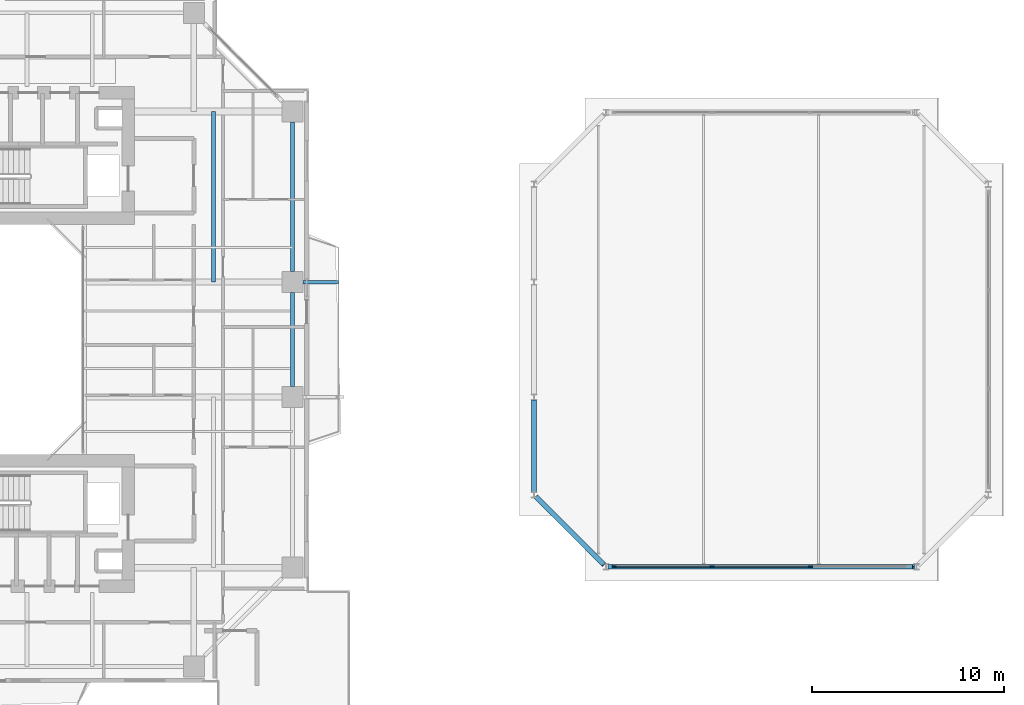
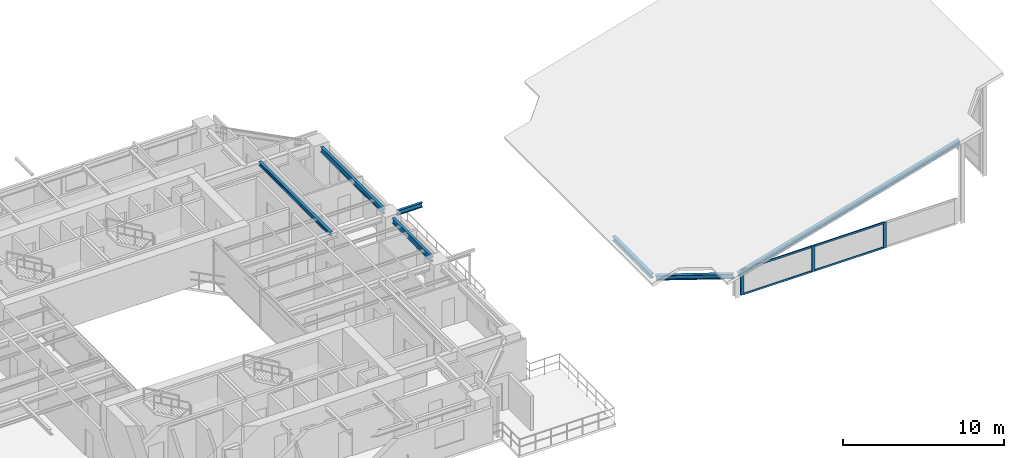
# One storey, part 11 of 28: 7 beams, 7 members, 1 element without a shape of its own.
"""IFC4 building model written with IfcOpenShell, lengths in metres."""

import ifcopenshell
import ifcopenshell.guid

model = None  # the IFC model being written
_history = None  # IfcOwnerHistory: only IFC2X3 demands one
_inside = {}  # id of a spatial element -> (the spatial element, [elements in it])
_under = {}  # id of a project, library or spatial element -> (it, [spatial elements below it])
_declared = {}  # id of a project -> (the project, [libraries it declares])
_typed = {}  # id of a type object -> (the type object, [elements of that type])
_made_of = {}  # id of a material, layer set ... -> (it, [elements and type objects made of it])


def new_model(schema):
    """Start an empty IFC model of exactly this schema.

    Asked for "IFC4X3", IfcOpenShell would pick the latest addendum, in which some entities
    have other attributes; the version numbers below select the first issue.
    IFC2X3 requires an IfcOwnerHistory on every rooted entity: one is made here for all.
    """
    global model, _history
    if schema == "IFC4X3":
        model = ifcopenshell.file(schema_version=(4, 3, 0, 0))
    else:
        model = ifcopenshell.file(schema=schema)
    _inside.clear()
    _under.clear()
    _declared.clear()
    _typed.clear()
    _made_of.clear()
    _history = None
    if model.schema == "IFC2X3":
        org = make("IfcOrganization", Name="unknown")
        user = make(
            "IfcPersonAndOrganization",
            ThePerson=make("IfcPerson", FamilyName="unknown"),
            TheOrganization=org,
        )
        app = make(
            "IfcApplication",
            ApplicationDeveloper=org,
            Version="unknown",
            ApplicationFullName="unknown",
            ApplicationIdentifier="unknown",
        )
        _history = make(
            "IfcOwnerHistory",
            OwningUser=user,
            OwningApplication=app,
            ChangeAction="ADDED",
            CreationDate=0,
        )
    return model


def make(cls, **values):
    """One entity of the class cls with the attributes given. An attribute that is None is left unset."""
    return model.create_entity(
        cls, **{name: value for name, value in values.items() if value is not None}
    )


def rooted(cls, **values):
    """An entity with a GlobalId (a new one), such as an element, a storey or a relation."""
    return make(cls, GlobalId=ifcopenshell.guid.new(), OwnerHistory=_history, **values)


def si_unit(unit_type, name, prefix=None):
    """IfcSIUnit, for example si_unit("LENGTHUNIT", "METRE", prefix="MILLI")."""
    return make("IfcSIUnit", UnitType=unit_type, Prefix=prefix, Name=name)


def assignment(units):
    """IfcUnitAssignment: the units of a project."""
    return None if units is None else make("IfcUnitAssignment", Units=units)


def point(xyz):
    """IfcCartesianPoint."""
    return None if xyz is None else make("IfcCartesianPoint", Coordinates=xyz)


def direction(xyz):
    """IfcDirection."""
    return None if xyz is None else make("IfcDirection", DirectionRatios=xyz)


def frame(location, z_axis=None, x_axis=None):
    """IfcAxis2Placement3D, a coordinate frame: its origin and axes. An axis left out is left unset."""
    return make(
        "IfcAxis2Placement3D",
        Location=point(location),
        Axis=direction(z_axis),
        RefDirection=direction(x_axis),
    )


def frame_2d(location, x_axis=None):
    """IfcAxis2Placement2D, a coordinate frame in the plane: its origin and x axis."""
    return make(
        "IfcAxis2Placement2D", Location=point(location), RefDirection=direction(x_axis)
    )


def origin():
    """The frame at (0, 0, 0) with its axes left unset."""
    return frame((0.0, 0.0, 0.0))


def origin_2d():
    """The frame at (0, 0) in the plane with its x axis left unset."""
    return frame_2d((0.0, 0.0))


def place(relative_to, where):
    """IfcLocalPlacement: puts the frame where relative to a parent placement (None: the world)."""
    return make(
        "IfcLocalPlacement", PlacementRelTo=relative_to, RelativePlacement=where
    )


def context(
    kind, dimensions, precision=None, world=None, true_north=None, identifier=None
):
    """IfcGeometricRepresentationContext, for example the 3D "Model" context."""
    return make(
        "IfcGeometricRepresentationContext",
        ContextIdentifier=identifier,
        ContextType=kind,
        CoordinateSpaceDimension=dimensions,
        Precision=precision,
        WorldCoordinateSystem=world,
        TrueNorth=true_north,
    )


def subcontext(parent, identifier, kind, view, scale=None):
    """IfcGeometricRepresentationSubContext, for example "Body" below "Model"."""
    return make(
        "IfcGeometricRepresentationSubContext",
        ContextIdentifier=identifier,
        ContextType=kind,
        ParentContext=parent,
        TargetScale=scale,
        TargetView=view,
    )


def project(units=None, contexts=None):
    """IfcProject with its units and contexts."""
    return rooted(
        "IfcProject",
        Name="project",
        RepresentationContexts=contexts,
        UnitsInContext=assignment(units),
    )


def spatial(cls, under=None, at=None, **own):
    """A site, building, storey or space (cls), placed at a placement, below another one or the project."""
    s = rooted(cls, ObjectPlacement=at, **own)
    if under is not None:
        _under.setdefault(under.id(), (under, []))[1].append(s)
    return s


def profile(cls, at=None, kind="AREA", **sizes):
    """A parametric profile (cls). Its sizes go by their IFC names, for example OverallWidth=200.0."""
    return make(cls, ProfileType=kind, Position=at, **sizes)


def rectangle(**sizes):
    """IfcRectangleProfileDef."""
    return profile("IfcRectangleProfileDef", **sizes)


def i_section(**sizes):
    """IfcIShapeProfileDef."""
    return profile("IfcIShapeProfileDef", **sizes)


def extrude(swept, where, along, depth):
    """IfcExtrudedAreaSolid: the profile swept, set in the frame where, extruded along a direction by depth."""
    return make(
        "IfcExtrudedAreaSolid",
        SweptArea=swept,
        Position=where,
        ExtrudedDirection=direction(along),
        Depth=depth,
    )


def shape(context_of_items, identifier, shape_type, items):
    """IfcShapeRepresentation: the items that make up one representation, for example the "Body"."""
    return make(
        "IfcShapeRepresentation",
        ContextOfItems=context_of_items,
        RepresentationIdentifier=identifier,
        RepresentationType=shape_type,
        Items=items,
    )


def source(mapping_origin, context_of_items, identifier, shape_type, items):
    """IfcRepresentationMap: a shape defined once, which mapped items show again and again."""
    return make(
        "IfcRepresentationMap",
        MappingOrigin=mapping_origin,
        MappedRepresentation=shape(context_of_items, identifier, shape_type, items),
    )


def transform(
    local_origin,
    x_axis=None,
    y_axis=None,
    z_axis=None,
    scale=None,
    scale2=None,
    scale3=None,
    uniform=True,
):
    """IfcCartesianTransformationOperator3D, or its non-uniform kind. x_axis, y_axis, z_axis: its Axis1, 2, 3."""
    if uniform:
        return make(
            "IfcCartesianTransformationOperator3D",
            Axis1=direction(x_axis),
            Axis2=direction(y_axis),
            LocalOrigin=point(local_origin),
            Scale=scale,
            Axis3=direction(z_axis),
        )
    return make(
        "IfcCartesianTransformationOperator3DnonUniform",
        Axis1=direction(x_axis),
        Axis2=direction(y_axis),
        LocalOrigin=point(local_origin),
        Scale=scale,
        Axis3=direction(z_axis),
        Scale2=scale2,
        Scale3=scale3,
    )


def mapped(mapping_source, mapping_target):
    """IfcMappedItem: shows the shape of a source again, moved by a transform."""
    return make(
        "IfcMappedItem", MappingSource=mapping_source, MappingTarget=mapping_target
    )


def material(Name=None, Category=None):
    """IfcMaterial."""
    return make("IfcMaterial", Name=Name, Category=Category)


def layer(
    of_material, thickness, ventilated=None, Name=None, Category=None, Priority=None
):
    """IfcMaterialLayer: one layer of a wall or slab, of a material (None: an air gap)."""
    return make(
        "IfcMaterialLayer",
        Material=of_material,
        LayerThickness=thickness,
        IsVentilated=ventilated,
        Name=Name,
        Category=Category,
        Priority=Priority,
    )


def layer_set(layers, Name=None):
    """IfcMaterialLayerSet."""
    return make("IfcMaterialLayerSet", MaterialLayers=layers, LayerSetName=Name)


def material_profile(
    of_material, cross_section, Name=None, Category=None, Priority=None
):
    """IfcMaterialProfile: a cross section and its material."""
    return make(
        "IfcMaterialProfile",
        Name=Name,
        Material=of_material,
        Profile=cross_section,
        Priority=Priority,
        Category=Category,
    )


def profile_set(profiles, Name=None, composite=None):
    """IfcMaterialProfileSet."""
    return make(
        "IfcMaterialProfileSet",
        Name=Name,
        MaterialProfiles=profiles,
        CompositeProfile=composite,
    )


def made_of(thing, what):
    """Note that an element or type object is made of a material, layer set ...; save() writes the relation."""
    if what is not None:
        _made_of.setdefault(what.id(), (what, []))[1].append(thing)
    return thing


def type_object(cls, material=None, **own):
    """A type object (cls), such as IfcWallType, which elements share."""
    return made_of(rooted(cls, **own), material)


def element(
    cls,
    number,
    at=None,
    inside=None,
    cuts=None,
    type_object=None,
    material=None,
    context=None,
    identifier="Body",
    shape_type=None,
    held_by="IfcProductDefinitionShape",
    body=None,
    shapes=None,
    **own,
):
    """One element of the class cls, such as IfcWall. Its Tag is "e" and its number.

    at: its placement. inside: the storey or other place that contains it. cuts: it is an
    opening in that element (IfcRelVoidsElement). A single representation is given by context,
    identifier, shape_type and body (its items); several are given by shapes. held_by: the class
    of the entity that holds the representations. save() writes the other relations.
    """
    e = rooted(cls, Tag="e%d" % number, ObjectPlacement=at, **own)
    if body is not None:
        shapes = [shape(context, identifier, shape_type, body)]
    if shapes is not None:
        e.Representation = make(held_by, Representations=shapes)
    if inside is not None:
        _inside.setdefault(inside.id(), (inside, []))[1].append(e)
    if cuts is not None:
        rooted(
            "IfcRelVoidsElement", RelatingBuildingElement=cuts, RelatedOpeningElement=e
        )
    if type_object is not None:
        _typed.setdefault(type_object.id(), (type_object, []))[1].append(e)
    return made_of(e, material)


def aggregate(whole, parts):
    """IfcRelAggregates: a whole, such as a stair, and the parts it consists of."""
    return rooted("IfcRelAggregates", RelatingObject=whole, RelatedObjects=parts)


def save(model, path):
    """Write the relations noted so far, then the file.

    IfcRelAggregates (storeys below a building ...), IfcRelContainedInSpatialStructure (elements
    in a storey), IfcRelDefinesByType, IfcRelAssociatesMaterial and IfcRelDeclares: one each for
    every whole, place, type object, material and project.
    """
    for whole, parts in _under.values():
        aggregate(whole, parts)
    for where, things in _inside.values():
        rooted(
            "IfcRelContainedInSpatialStructure",
            RelatedElements=things,
            RelatingStructure=where,
        )
    for kind, things in _typed.values():
        rooted("IfcRelDefinesByType", RelatedObjects=things, RelatingType=kind)
    for what, things in _made_of.values():
        rooted("IfcRelAssociatesMaterial", RelatedObjects=things, RelatingMaterial=what)
    for by, libraries in _declared.values():
        rooted("IfcRelDeclares", RelatingContext=by, RelatedDefinitions=libraries)
    model.write(path)


model = new_model("IFC4")

# Units and contexts
model_context = context("Model", 3, precision=1e-05, world=origin(), true_north=direction((0.0, 1.0)))
body_context = subcontext(model_context, "Body", "Model", "MODEL_VIEW")
ifc_project = project(units=[si_unit("LENGTHUNIT", "METRE"), si_unit("AREAUNIT", "SQUARE_METRE"), si_unit("VOLUMEUNIT", "CUBIC_METRE"), si_unit("PLANEANGLEUNIT", "RADIAN"), si_unit("MASSUNIT", "GRAM", prefix="KILO"), si_unit("THERMODYNAMICTEMPERATUREUNIT", "KELVIN"), si_unit("POWERUNIT", "WATT")], contexts=[model_context])

# Site, building, storey
site_placement = place(None, origin())
site = spatial("IfcSite", under=ifc_project, at=site_placement, CompositionType="ELEMENT")
building_placement = place(site_placement, origin())
building = spatial("IfcBuilding", under=site, at=building_placement, Name="Qiaomeng Ring Towers", CompositionType="ELEMENT")
storey_placement = place(building_placement, frame((0.0, 0.0, 113.25)))
storey = spatial("IfcBuildingStorey", under=building, at=storey_placement, Name="L32", CompositionType="ELEMENT", Elevation=113.25)

# Beams
ifc_material_1 = material(Name="Steel Q355B", Category="steel")
ifc_material_profile_1 = material_profile(ifc_material_1, i_section(OverallWidth=0.199951171875, OverallDepth=0.39990234375, WebThickness=0.008056640625, FlangeThickness=0.012939453125, FilletRadius=0.01611328125, at=origin_2d()), Name="HN 400x200x8x13")
ifc_profile_set_1 = profile_set([ifc_material_profile_1], Name="Steel Q355B")
beam_type_1 = type_object("IfcBeamType", Name="STR-BM-HN400", PredefinedType="SPANDREL", material=ifc_profile_set_1)
shared_shape_1 = source(origin(), body_context, "Body", "SweptSolid", [
    extrude(i_section(OverallWidth=0.199951171875, OverallDepth=0.39990234375, WebThickness=0.008056640625, FlangeThickness=0.012939453125, FilletRadius=0.01611328125, at=origin_2d()), origin(), (0.0, 0.0, 1.0), 7.802001953125),
])
beam_1_placement = place(storey_placement, frame((36.050048828125, 26.549072265625, 2.8701171875), z_axis=(0.0, 1.0, 0.0), x_axis=(-1.0, 0.0, 0.0)))
element("IfcBeam", 1, at=beam_1_placement, inside=storey, type_object=beam_type_1, Name="L32 beam STR-SP-L32-T1-E3-E4", PredefinedType="SPANDREL", context=body_context, shape_type="MappedRepresentation", body=[
    mapped(shared_shape_1, transform((0.0, 0.0, 0.0), x_axis=(1.0, 0.0, 0.0), y_axis=(0.0, 1.0, 0.0), z_axis=(0.0, 0.0, 1.0), scale=1.0)),
])
shared_shape_2 = source(origin(), body_context, "Body", "SweptSolid", [
    extrude(i_section(OverallWidth=0.199951171875, OverallDepth=0.39990234375, WebThickness=0.008056640625, FlangeThickness=0.012939453125, FilletRadius=0.01611328125, at=origin_2d()), origin(), (0.0, 0.0, 1.0), 4.90185546875),
])
beam_2_placement = place(storey_placement, frame((36.050048828125, 20.549072265625, 2.8701171875), z_axis=(0.0, 1.0, 0.0), x_axis=(-1.0, 0.0, 0.0)))
element("IfcBeam", 2, at=beam_2_placement, inside=storey, type_object=beam_type_1, Name="L32 beam STR-SP-L32-T1-E2-E3", PredefinedType="SPANDREL", context=body_context, shape_type="MappedRepresentation", body=[
    mapped(shared_shape_2, transform((0.0, 0.0, 0.0), x_axis=(1.0, 0.0, 0.0), y_axis=(0.0, 1.0, 0.0), z_axis=(0.0, 0.0, 1.0), scale=1.0)),
])
ifc_material_profile_2 = material_profile(ifc_material_1, i_section(OverallWidth=0.175048828125, OverallDepth=0.35009765625, WebThickness=0.007080078125, FlangeThickness=0.010986328125, FilletRadius=0.013916015625, at=origin_2d()), Name="HN 350x175x7x11")
ifc_profile_set_2 = profile_set([ifc_material_profile_2], Name="Steel Q355B")
beam_type_2 = type_object("IfcBeamType", Name="STR-BM-HN350", PredefinedType="JOIST", material=ifc_profile_set_2)
shared_shape_3 = source(origin(), body_context, "Body", "SweptSolid", [
    extrude(i_section(OverallWidth=0.175048828125, OverallDepth=0.35009765625, WebThickness=0.007080078125, FlangeThickness=0.010986328125, FilletRadius=0.013916015625, at=origin_2d()), origin(), (0.0, 0.0, 1.0), 1.8408203125),
])
beam_3_placement = place(storey_placement, frame((36.59912109375, 26.0, 2.89501953125), z_axis=(1.0, 0.0, 0.0), x_axis=(0.0, 1.0, 0.0)))
element("IfcBeam", 3, at=beam_3_placement, inside=storey, type_object=beam_type_2, Name="L32 beam STR-BALBM-L32-E3", PredefinedType="JOIST", context=body_context, shape_type="MappedRepresentation", body=[
    mapped(shared_shape_3, transform((0.0, 0.0, 0.0), x_axis=(1.0, 0.0, 0.0), y_axis=(0.0, 1.0, 0.0), z_axis=(0.0, 0.0, 1.0), scale=1.0)),
])
ifc_material_profile_3 = material_profile(ifc_material_1, i_section(OverallWidth=0.199951171875, OverallDepth=0.2939453125, WebThickness=0.008056640625, FlangeThickness=0.011962890625, FilletRadius=0.01806640625, at=origin_2d()), Name="HM 294x200x8x12")
ifc_profile_set_3 = profile_set([ifc_material_profile_3], Name="Steel Q355B")
beam_type_3 = type_object("IfcBeamType", Name="STR-BM-HM294", PredefinedType="JOIST", material=ifc_profile_set_3)
shared_shape_4 = source(origin(), body_context, "Body", "SweptSolid", [
    extrude(i_section(OverallWidth=0.199951171875, OverallDepth=0.2939453125, WebThickness=0.008056640625, FlangeThickness=0.011962890625, FilletRadius=0.01806640625, at=origin_2d()), origin(), (0.0, 0.0, 1.0), 8.89990234375),
])
beam_4_placement = place(storey_placement, frame((31.925048828125, 26.0, 2.923095703125), z_axis=(0.0, 1.0, 0.0), x_axis=(-1.0, 0.0, 0.0)))
element("IfcBeam", 4, at=beam_4_placement, inside=storey, type_object=beam_type_3, Name="L32 beam STR-JST-L32-T1C-EN", PredefinedType="JOIST", context=body_context, shape_type="MappedRepresentation", body=[
    mapped(shared_shape_4, transform((0.0, 0.0, 0.0), x_axis=(1.0, 0.0, 0.0), y_axis=(0.0, 1.0, 0.0), z_axis=(0.0, 0.0, 1.0), scale=1.0)),
])
ifc_material_profile_4 = material_profile(ifc_material_1, i_section(OverallWidth=0.25, OverallDepth=0.340087890625, WebThickness=0.009033203125, FlangeThickness=0.013916015625, FilletRadius=0.02001953125, at=origin_2d()), Name="HM 340x250x9x14")
ifc_profile_set_4 = profile_set([ifc_material_profile_4], Name="Steel Q355B")
beam_type_4 = type_object("IfcBeamType", Name="STR-BM-HM340", PredefinedType="SPANDREL", material=ifc_profile_set_4)
shared_shape_5 = source(origin(), body_context, "Body", "SweptSolid", [
    extrude(i_section(OverallWidth=0.25, OverallDepth=0.340087890625, WebThickness=0.009033203125, FlangeThickness=0.013916015625, FilletRadius=0.02001953125, at=origin_2d()), origin(), (0.0, 0.0, 1.0), 16.540771484375),
])
beam_5_placement = place(storey_placement, frame((52.550048828125, 11.14990234375, 1.643310546875), z_axis=(0.961260053355, 0.0, 0.27564308412), x_axis=(0.0, 1.0, 0.0)))
element("IfcBeam", 5, at=beam_5_placement, inside=storey, type_object=beam_type_4, Name="Companion Crown Cap Beam 1", PredefinedType="SPANDREL", context=body_context, shape_type="MappedRepresentation", body=[
    mapped(shared_shape_5, transform((0.0, 0.0, 0.0), x_axis=(1.0, 0.0, 0.0), y_axis=(0.0, 1.0, 0.0), z_axis=(0.0, 0.0, 1.0), scale=1.0)),
])
shared_shape_6 = source(origin(), body_context, "Body", "SweptSolid", [
    extrude(i_section(OverallWidth=0.25, OverallDepth=0.340087890625, WebThickness=0.009033203125, FlangeThickness=0.013916015625, FilletRadius=0.02001953125, at=origin_2d()), origin(), (0.0, 0.0, 1.0), 5.10498046875),
])
beam_6_placement = place(storey_placement, frame((48.756103515625, 14.7939453125, 0.555419921875), z_axis=(0.693006531025, -0.693006531025, 0.198705550784), x_axis=(0.707106781187, 0.707106781187, 0.0)))
element("IfcBeam", 6, at=beam_6_placement, inside=storey, type_object=beam_type_4, Name="Companion Crown Cap Beam 10", PredefinedType="SPANDREL", context=body_context, shape_type="MappedRepresentation", body=[
    mapped(shared_shape_6, transform((0.0, 0.0, 0.0), x_axis=(1.0, 0.0, 0.0), y_axis=(0.0, 1.0, 0.0), z_axis=(0.0, 0.0, 1.0), scale=1.0)),
])
shared_shape_7 = source(origin(), body_context, "Body", "SweptSolid", [
    extrude(i_section(OverallWidth=0.25, OverallDepth=0.340087890625, WebThickness=0.009033203125, FlangeThickness=0.013916015625, FilletRadius=0.02001953125, at=origin_2d()), origin(), (0.0, 0.0, 1.0), 4.800048828125),
])
beam_7_placement = place(storey_placement, frame((48.64990234375, 19.85009765625, 0.525146484375), z_axis=(0.0, -1.0, 0.0), x_axis=(1.0, 0.0, 0.0)))
element("IfcBeam", 7, at=beam_7_placement, inside=storey, type_object=beam_type_4, Name="Companion Crown Cap Beam 9", PredefinedType="SPANDREL", context=body_context, shape_type="MappedRepresentation", body=[
    mapped(shared_shape_7, transform((0.0, 0.0, 0.0), x_axis=(1.0, 0.0, 0.0), y_axis=(0.0, 1.0, 0.0), z_axis=(0.0, 0.0, 1.0), scale=1.0)),
])

# Curtain wall, members
ifc_material_2 = material(Name="Fluorocarbon dark-grey aluminium", Category="aluminium")
ifc_layer = layer(ifc_material_2, 0.169921875, Name="Fluorocarbon dark-grey aluminium")
ifc_layer_set = layer_set([ifc_layer], Name="Fluorocarbon dark-grey aluminium")
curtain_wall_type = type_object("IfcCurtainWallType", Name="ARC-CW-6", PredefinedType="NOTDEFINED", material=ifc_layer_set)
curtain_wall_placement = place(storey_placement, origin())
curtain_wall = element("IfcCurtainWall", 8, at=curtain_wall_placement, inside=storey, type_object=curtain_wall_type, Name="L32 Curtain Wall CW6", PredefinedType="NOTDEFINED")
ifc_material_profile_5 = material_profile(ifc_material_2, rectangle(XDim=0.080078125, YDim=0.219970703125, at=origin_2d()), Name="ALU MULL 80x220")
ifc_profile_set_5 = profile_set([ifc_material_profile_5], Name="Fluorocarbon dark-grey aluminium")
member_type_1 = type_object("IfcMemberType", Name="ARC-CWM-180", PredefinedType="MULLION", material=ifc_profile_set_5)
shared_shape_8 = source(origin(), body_context, "Body", "SweptSolid", [
    extrude(rectangle(XDim=0.080078125, YDim=0.219970703125, at=origin_2d()), origin(), (0.0, 0.0, 1.0), 1.9404296875),
])
member_1_placement = place(storey_placement, frame((52.830078125, 11.14990234375, 0.0), z_axis=(0.0, 0.0, 1.0), x_axis=(0.0, 1.0, 0.0)))
member_1 = element("IfcMember", 9, at=member_1_placement, type_object=member_type_1, Name="CW6 mullion 1", PredefinedType="MULLION", context=body_context, shape_type="MappedRepresentation", body=[
    mapped(shared_shape_8, transform((0.0, 0.0, 0.0), x_axis=(1.0, 0.0, 0.0), y_axis=(0.0, 1.0, 0.0), z_axis=(0.0, 0.0, 1.0), scale=1.0)),
])
member_2_placement = place(storey_placement, frame((57.929931640625, 11.14990234375, 0.0), z_axis=(0.0, 0.0, 1.0), x_axis=(0.0, 1.0, 0.0)))
member_2 = element("IfcMember", 10, at=member_2_placement, type_object=member_type_1, Name="CW6 mullion 2", PredefinedType="MULLION", context=body_context, shape_type="MappedRepresentation", body=[
    mapped(shared_shape_8, transform((0.0, 0.0, 0.0), x_axis=(1.0, 0.0, 0.0), y_axis=(0.0, 1.0, 0.0), z_axis=(0.0, 0.0, 1.0), scale=1.0)),
])
member_3_placement = place(storey_placement, frame((63.070068359375, 11.14990234375, 0.0), z_axis=(0.0, 0.0, 1.0), x_axis=(0.0, 1.0, 0.0)))
member_3 = element("IfcMember", 11, at=member_3_placement, type_object=member_type_1, Name="CW6 mullion 3", PredefinedType="MULLION", context=body_context, shape_type="MappedRepresentation", body=[
    mapped(shared_shape_8, transform((0.0, 0.0, 0.0), x_axis=(1.0, 0.0, 0.0), y_axis=(0.0, 1.0, 0.0), z_axis=(0.0, 0.0, 1.0), scale=1.0)),
])
ifc_material_profile_6 = material_profile(ifc_material_2, rectangle(XDim=0.070068359375, YDim=0.139892578125, at=origin_2d()), Name="ALU TRAN 70x140")
ifc_profile_set_6 = profile_set([ifc_material_profile_6], Name="Fluorocarbon dark-grey aluminium")
member_type_2 = type_object("IfcMemberType", Name="ARC-CWT-140", PredefinedType="USERDEFINED", material=ifc_profile_set_6)
shared_shape_9 = source(origin(), body_context, "Body", "SweptSolid", [
    extrude(rectangle(XDim=0.070068359375, YDim=0.139892578125, at=origin_2d()), origin(), (0.0, 0.0, 1.0), 5.019775390625),
])
member_4_placement = place(storey_placement, frame((52.8701171875, 11.14990234375, 0.034912109375), z_axis=(1.0, 0.0, 0.0), x_axis=(0.0, 1.0, 0.0)))
member_4 = element("IfcMember", 12, at=member_4_placement, type_object=member_type_2, Name="CW6 transom 1.1", ObjectType="TRANSOM", PredefinedType="USERDEFINED", context=body_context, shape_type="MappedRepresentation", body=[
    mapped(shared_shape_9, transform((0.0, 0.0, 0.0), x_axis=(1.0, 0.0, 0.0), y_axis=(0.0, 1.0, 0.0), z_axis=(0.0, 0.0, 1.0), scale=1.0)),
])
member_5_placement = place(storey_placement, frame((52.8701171875, 11.14990234375, 1.905517578125), z_axis=(1.0, 0.0, 0.0), x_axis=(0.0, 1.0, 0.0)))
member_5 = element("IfcMember", 13, at=member_5_placement, type_object=member_type_2, Name="CW6 transom 1.2", ObjectType="TRANSOM", PredefinedType="USERDEFINED", context=body_context, shape_type="MappedRepresentation", body=[
    mapped(shared_shape_9, transform((0.0, 0.0, 0.0), x_axis=(1.0, 0.0, 0.0), y_axis=(0.0, 1.0, 0.0), z_axis=(0.0, 0.0, 1.0), scale=1.0)),
])
shared_shape_10 = source(origin(), body_context, "Body", "SweptSolid", [
    extrude(rectangle(XDim=0.070068359375, YDim=0.139892578125, at=origin_2d()), origin(), (0.0, 0.0, 1.0), 5.06005859375),
])
member_6_placement = place(storey_placement, frame((57.969970703125, 11.14990234375, 0.034912109375), z_axis=(1.0, 0.0, 0.0), x_axis=(0.0, 1.0, 0.0)))
member_6 = element("IfcMember", 14, at=member_6_placement, type_object=member_type_2, Name="CW6 transom 2.1", ObjectType="TRANSOM", PredefinedType="USERDEFINED", context=body_context, shape_type="MappedRepresentation", body=[
    mapped(shared_shape_10, transform((0.0, 0.0, 0.0), x_axis=(1.0, 0.0, 0.0), y_axis=(0.0, 1.0, 0.0), z_axis=(0.0, 0.0, 1.0), scale=1.0)),
])
member_7_placement = place(storey_placement, frame((57.969970703125, 11.14990234375, 1.905517578125), z_axis=(1.0, 0.0, 0.0), x_axis=(0.0, 1.0, 0.0)))
member_7 = element("IfcMember", 15, at=member_7_placement, type_object=member_type_2, Name="CW6 transom 2.2", ObjectType="TRANSOM", PredefinedType="USERDEFINED", context=body_context, shape_type="MappedRepresentation", body=[
    mapped(shared_shape_10, transform((0.0, 0.0, 0.0), x_axis=(1.0, 0.0, 0.0), y_axis=(0.0, 1.0, 0.0), z_axis=(0.0, 0.0, 1.0), scale=1.0)),
])
aggregate(curtain_wall, [member_1, member_2, member_3, member_4, member_5, member_6, member_7])

save(model, "model.ifc")
